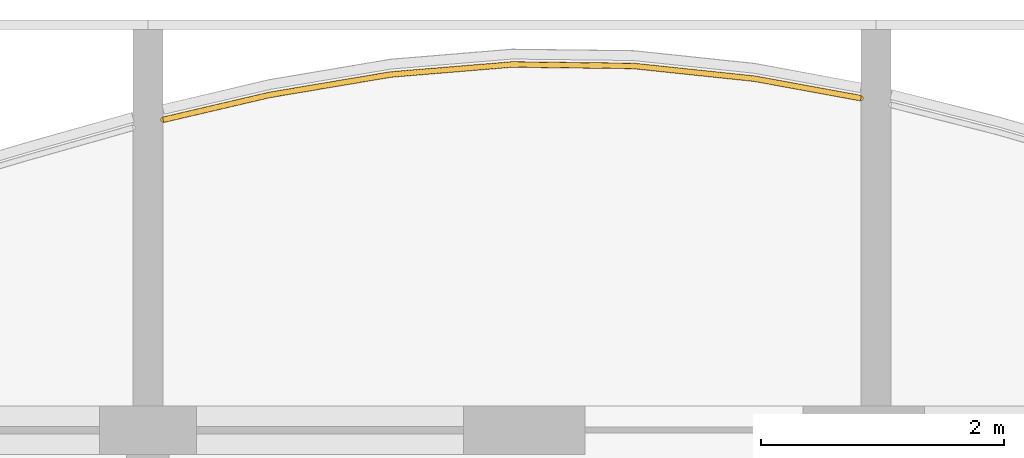
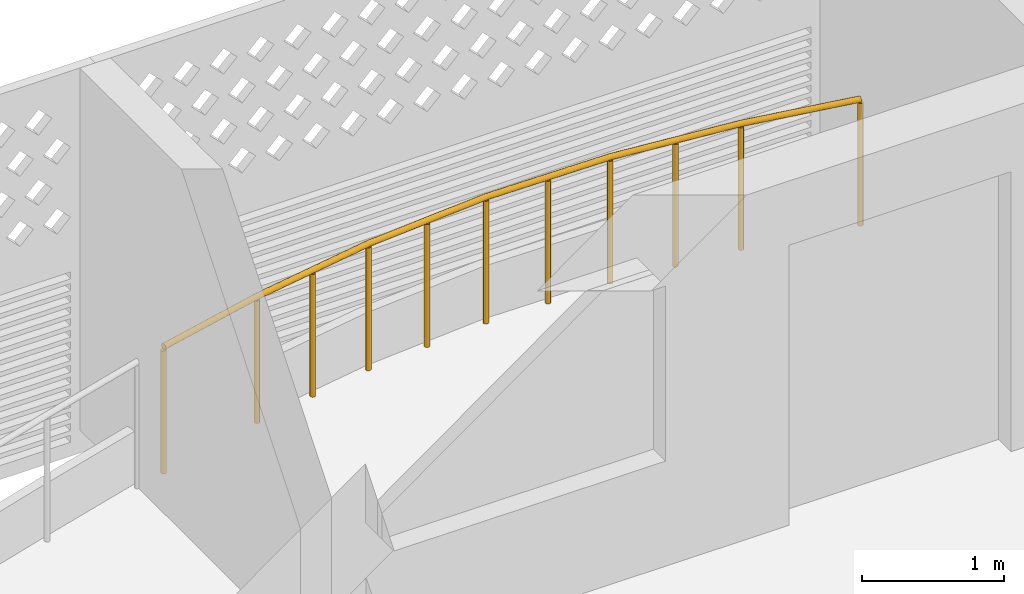
# One storey, part 21 of 24: 1 railing.
"""IFC4 building model written with IfcOpenShell, lengths in metres."""

from ifc_helpers import new_model, si_unit, direction, frame, origin, origin_2d, place, context, subcontext, project, spatial, circle, extrude, material, type_object, element, save


model = new_model("IFC4")

# Units and contexts
model_context = context("Model", 3, precision=1e-05, world=origin(), true_north=direction((0.0, 1.0)))
body_context = subcontext(model_context, "Body", "Model", "MODEL_VIEW")
ifc_project = project(units=[si_unit("LENGTHUNIT", "METRE"), si_unit("AREAUNIT", "SQUARE_METRE"), si_unit("VOLUMEUNIT", "CUBIC_METRE"), si_unit("PLANEANGLEUNIT", "RADIAN"), si_unit("MASSUNIT", "GRAM", prefix="KILO")], contexts=[model_context])

# Site, building, storey
site_placement = place(None, origin())
site = spatial("IfcSite", under=ifc_project, at=site_placement, CompositionType="ELEMENT")
building_placement = place(site_placement, origin())
building = spatial("IfcBuilding", under=site, at=building_placement, Name="Poui Terraces", CompositionType="ELEMENT")
storey_placement = place(building_placement, frame((0.0, 0.0, 112.5)))
storey = spatial("IfcBuildingStorey", under=building, at=storey_placement, Name="L31", CompositionType="ELEMENT", Elevation=112.5)

# Railing
ifc_material = material(Name="Painted steel fretwork", Category="steel")
railing_type = type_object("IfcRailingType", Name="BALCONY GUARD 1100", PredefinedType="GUARDRAIL", material=ifc_material)
railing_placement = place(storey_placement, frame((60.125, 46.157470703125, 0.0)))
element("IfcRailing", 1, at=railing_placement, inside=storey, type_object=railing_type, Name="BALCONY GUARD", PredefinedType="GUARDRAIL", context=body_context, shape_type="SweptSolid", body=[
    extrude(circle(Radius=0.02392578125, at=origin_2d()), frame((0.0, 0.0, 1.076171875), z_axis=(0.973736897475, 0.227676205381, 0.0), x_axis=(-0.227676205381, 0.973736897475, 0.0)), (0.0, 0.0, 1.0), 0.898681640625),
    extrude(circle(Radius=0.02392578125, at=origin_2d()), frame((0.875, 0.20458984375, 1.076171875), z_axis=(0.986066669641, 0.166350602715, 0.0), x_axis=(-0.166350602715, 0.986066669641, 0.0)), (0.0, 0.0, 1.0), 1.01416015625),
    extrude(circle(Radius=0.02392578125, at=origin_2d()), frame((1.875, 0.373291015625, 1.076171875), z_axis=(0.99661255374, 0.082240000773, 0.0), x_axis=(-0.082240000773, 0.99661255374, 0.0)), (0.0, 0.0, 1.0), 1.00341796875),
    extrude(circle(Radius=0.02392578125, at=origin_2d()), frame((2.875, 0.455810546875, 1.076171875), z_axis=(0.999928452303, -0.011962034708, 0.0), x_axis=(0.011962034708, 0.999928452303, 0.0)), (0.0, 0.0, 1.0), 1.0),
    extrude(circle(Radius=0.02392578125, at=origin_2d()), frame((3.875, 0.44384765625, 1.076171875), z_axis=(0.994509443434, -0.104646867705, 0.0), x_axis=(0.104646867705, 0.994509443434, 0.0)), (0.0, 0.0, 1.0), 1.005615234375),
    extrude(circle(Radius=0.02392578125, at=origin_2d()), frame((4.875, 0.338623046875, 1.076171875), z_axis=(0.983609802465, -0.180310167472, 0.0), x_axis=(0.180310167472, 0.983609802465, 0.0)), (0.0, 0.0, 1.0), 0.8896484375),
    extrude(circle(Radius=0.02099609375, at=origin_2d()), origin(), (0.0, 0.0, 1.0), 1.052001953125),
    extrude(circle(Radius=0.02099609375, at=origin_2d()), frame((0.875, 0.20458984375, 0.0)), (0.0, 0.0, 1.0), 1.052001953125),
    extrude(circle(Radius=0.02099609375, at=origin_2d()), frame((1.375, 0.2890625, 0.0)), (0.0, 0.0, 1.0), 1.052001953125),
    extrude(circle(Radius=0.02099609375, at=origin_2d()), frame((1.875, 0.373291015625, 0.0)), (0.0, 0.0, 1.0), 1.052001953125),
    extrude(circle(Radius=0.02099609375, at=origin_2d()), frame((2.375, 0.41455078125, 0.0)), (0.0, 0.0, 1.0), 1.052001953125),
    extrude(circle(Radius=0.02099609375, at=origin_2d()), frame((2.875, 0.455810546875, 0.0)), (0.0, 0.0, 1.0), 1.052001953125),
    extrude(circle(Radius=0.02099609375, at=origin_2d()), frame((3.375, 0.44970703125, 0.0)), (0.0, 0.0, 1.0), 1.052001953125),
    extrude(circle(Radius=0.02099609375, at=origin_2d()), frame((3.875, 0.44384765625, 0.0)), (0.0, 0.0, 1.0), 1.052001953125),
    extrude(circle(Radius=0.02099609375, at=origin_2d()), frame((4.375, 0.39111328125, 0.0)), (0.0, 0.0, 1.0), 1.052001953125),
    extrude(circle(Radius=0.02099609375, at=origin_2d()), frame((4.875, 0.338623046875, 0.0)), (0.0, 0.0, 1.0), 1.052001953125),
    extrude(circle(Radius=0.02099609375, at=origin_2d()), frame((5.75, 0.17822265625, 0.0)), (0.0, 0.0, 1.0), 1.052001953125),
])

save(model, "model.ifc")
